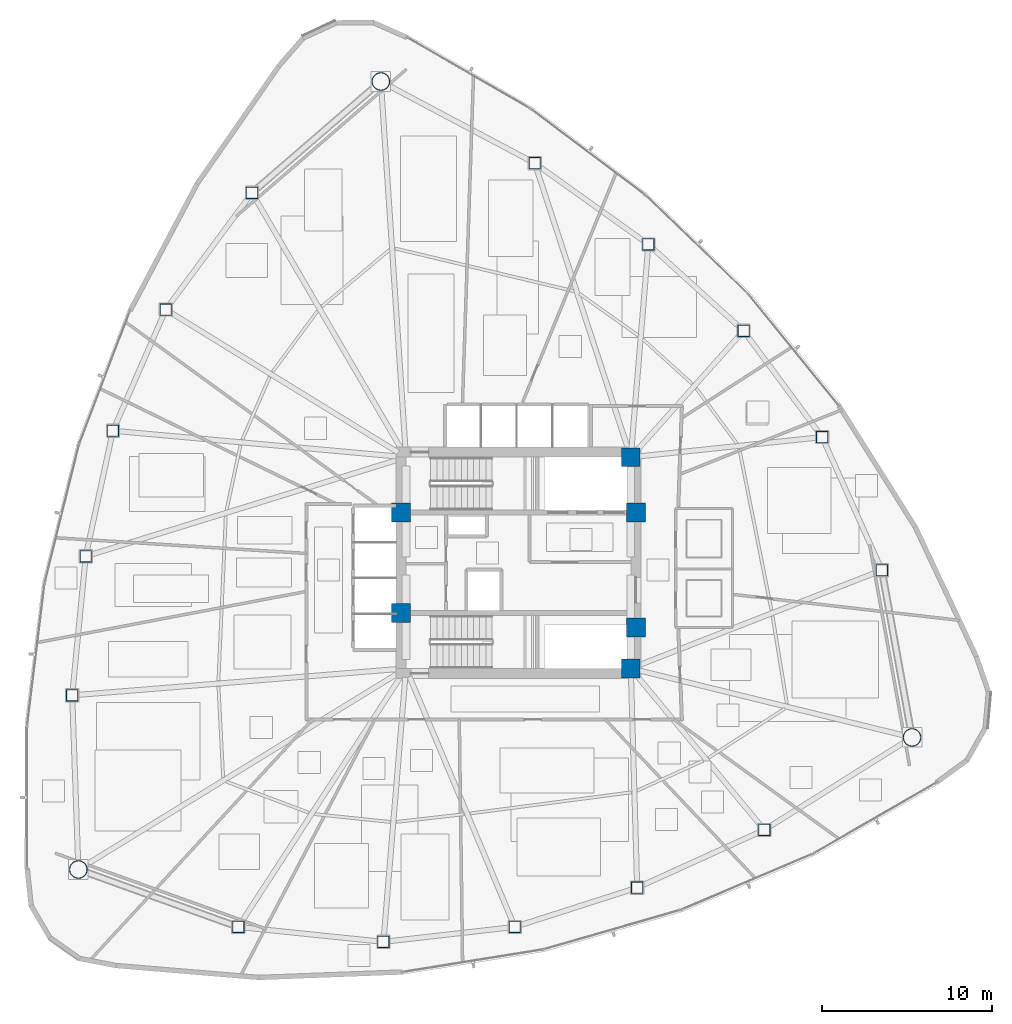
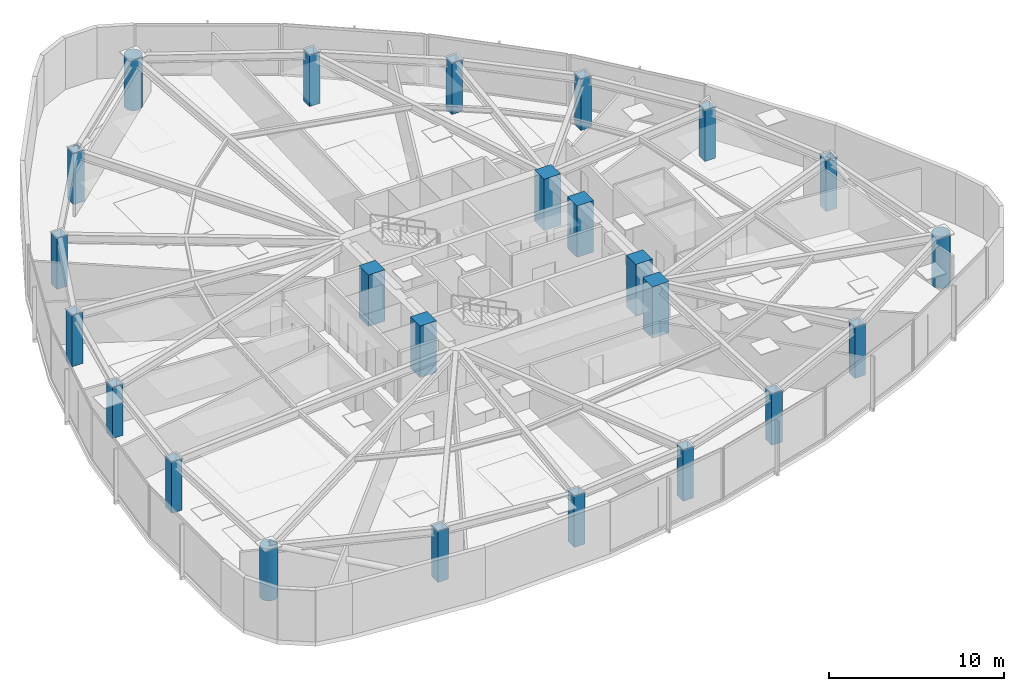
# One storey, part 1 of 17: 24 columns.
"""IFC4 building model written with IfcOpenShell, lengths in metres."""

from ifc_helpers import new_model, si_unit, direction, frame, origin, origin_2d, place, context, subcontext, project, spatial, rectangle, hollow_rectangle, hollow_circle, extrude, material, material_profile, profile_set, type_object, element, save


model = new_model("IFC4")

# Units and contexts
model_context = context("Model", 3, precision=1e-05, world=origin(), true_north=direction((0.0, 1.0)))
body_context = subcontext(model_context, "Body", "Model", "MODEL_VIEW")
ifc_project = project(units=[si_unit("LENGTHUNIT", "METRE"), si_unit("AREAUNIT", "SQUARE_METRE"), si_unit("VOLUMEUNIT", "CUBIC_METRE"), si_unit("PLANEANGLEUNIT", "RADIAN"), si_unit("MASSUNIT", "GRAM", prefix="KILO")], contexts=[model_context])

# Site, building, storey
site_placement = place(None, origin())
site = spatial("IfcSite", under=ifc_project, at=site_placement, CompositionType="ELEMENT")
building_placement = place(site_placement, origin())
building = spatial("IfcBuilding", under=site, at=building_placement, Name="Tavelor Broadcast Tower", CompositionType="ELEMENT")
storey_placement = place(building_placement, frame((0.0, 0.0, 78.300048828125)))
storey = spatial("IfcBuildingStorey", under=building, at=storey_placement, Name="L18", CompositionType="ELEMENT", Elevation=78.300048828125)

# Columns
ifc_material_1 = material(Name="Concrete C60/75", Category="concrete")
ifc_material_profile_1 = material_profile(ifc_material_1, rectangle(XDim=1.10009765625, YDim=1.10009765625, at=origin_2d()), Name="RC 1100x1100")
ifc_profile_set_1 = profile_set([ifc_material_profile_1], Name="Concrete C60/75")
column_type_1 = type_object("IfcColumnType", Name="Core Embedded Composite Column RC1100", PredefinedType="COLUMN", material=ifc_profile_set_1)
for number, where, z_axis, x_axis, name in (
    (1, (43.10009765625, 47.949951171875, 0.0), (0.0, 0.0, 1.0), (1.0, 0.0, 0.0), "L18 Core Embedded Column 1"),
    (2, (56.89990234375, 47.949951171875, 0.0), (0.0, 0.0, 1.0), (1.0, 0.0, 0.0), "L18 Core Embedded Column 2"),
    (3, (56.60009765625, 51.199951171875, 0.0), (0.0, 0.0, 1.0), (1.0, 0.0, 0.0), "L18 Core Embedded Column 3"),
    (4, (43.10009765625, 42.050048828125, 0.0), (0.0, 0.0, 1.0), (1.0, 0.0, 0.0), "L18 Core Embedded Column 4"),
    (5, (56.89990234375, 41.199951171875, 0.0), (0.0, 0.0, 1.0), (1.0, 0.0, 0.0), "L18 Core Embedded Column 5"),
    (6, (56.60009765625, 38.800048828125, 0.0), (0.0, 0.0, 1.0), (1.0, 0.0, 0.0), "L18 Core Embedded Column 6"),
):
    element("IfcColumn", number, at=place(storey_placement, frame(where, z_axis=z_axis, x_axis=x_axis)), inside=storey, type_object=column_type_1, Name=name, PredefinedType="COLUMN", context=body_context, shape_type="SweptSolid", body=[
        extrude(rectangle(XDim=1.10009765625, YDim=1.10009765625, at=origin_2d()), origin(), (0.0, 0.0, 1.0), 3.599853515625),
    ])
ifc_material_2 = material(Name="Steel S460", Category="steel")
ifc_material_profile_2 = material_profile(ifc_material_2, hollow_rectangle(XDim=0.699951171875, YDim=0.699951171875, WallThickness=0.0400390625, at=origin_2d()), Name="SHS 700x700x40")
ifc_profile_set_2 = profile_set([ifc_material_profile_2], Name="Steel S460")
column_type_2 = type_object("IfcColumnType", Name="Perimeter Tube Column T2 SHS 700x700x40", PredefinedType="COLUMN", material=ifc_profile_set_2)
for number, where, z_axis, x_axis, name in (
    (7, (34.356201171875, 66.727783203125, 0.0), (0.0, 0.0, 1.0), (1.0, 0.0, 0.0), "L18 Perimeter Framed-Tube Column 02"),
    (8, (29.292236328125, 59.87158203125, 0.0), (0.0, 0.0, 1.0), (1.0, 0.0, 0.0), "L18 Perimeter Framed-Tube Column 03"),
    (9, (26.189208984375, 52.75830078125, 0.0), (0.0, 0.0, 1.0), (1.0, 0.0, 0.0), "L18 Perimeter Framed-Tube Column 04"),
    (10, (24.58984375, 45.380615234375, 0.0), (0.0, 0.0, 1.0), (1.0, 0.0, 0.0), "L18 Perimeter Framed-Tube Column 05"),
    (11, (23.794677734375, 37.21630859375, 0.0), (0.0, 0.0, 1.0), (1.0, 0.0, 0.0), "L18 Perimeter Framed-Tube Column 06"),
    (12, (33.55078125, 23.615478515625, 0.0), (0.0, 0.0, 1.0), (1.0, 0.0, 0.0), "L18 Perimeter Framed-Tube Column 08"),
    (13, (42.0732421875, 22.740478515625, 0.0), (0.0, 0.0, 1.0), (1.0, 0.0, 0.0), "L18 Perimeter Framed-Tube Column 09"),
    (14, (49.78662109375, 23.617919921875, 0.0), (0.0, 0.0, 1.0), (1.0, 0.0, 0.0), "L18 Perimeter Framed-Tube Column 10"),
    (15, (56.975341796875, 25.92138671875, 0.0), (0.0, 0.0, 1.0), (1.0, 0.0, 0.0), "L18 Perimeter Framed-Tube Column 11"),
    (16, (64.443603515625, 29.31494140625, 0.0), (0.0, 0.0, 1.0), (1.0, 0.0, 0.0), "L18 Perimeter Framed-Tube Column 12"),
    (17, (71.343994140625, 44.564697265625, 0.0), (0.0, 0.0, 1.0), (1.0, 0.0, 0.0), "L18 Perimeter Framed-Tube Column 14"),
    (18, (67.8408203125, 52.382568359375, 0.0), (0.0, 0.0, 1.0), (1.0, 0.0, 0.0), "L18 Perimeter Framed-Tube Column 15"),
    (19, (63.22412109375, 58.623779296875, 0.0), (0.0, 0.0, 1.0), (1.0, 0.0, 0.0), "L18 Perimeter Framed-Tube Column 16"),
    (20, (57.634765625, 63.69775390625, 0.0), (0.0, 0.0, 1.0), (1.0, 0.0, 0.0), "L18 Perimeter Framed-Tube Column 17"),
    (21, (50.9619140625, 68.468505859375, 0.0), (0.0, 0.0, 1.0), (1.0, 0.0, 0.0), "L18 Perimeter Framed-Tube Column 18"),
):
    element("IfcColumn", number, at=place(storey_placement, frame(where, z_axis=z_axis, x_axis=x_axis)), inside=storey, type_object=column_type_2, Name=name, PredefinedType="COLUMN", context=body_context, shape_type="SweptSolid", body=[
        extrude(hollow_rectangle(XDim=0.699951171875, YDim=0.699951171875, WallThickness=0.0400390625, at=origin_2d()), origin(), (0.0, 0.0, 1.0), 3.599853515625),
    ])
ifc_material_profile_3 = material_profile(ifc_material_2, hollow_circle(Radius=0.533447265625, WallThickness=0.044921875, at=origin_2d()), Name="CHS 1067x45")
ifc_profile_set_3 = profile_set([ifc_material_profile_3], Name="Steel S460")
column_type_3 = type_object("IfcColumnType", Name="Tower Mega Column T2 CHS 1067x45", PredefinedType="COLUMN", material=ifc_profile_set_3)
for number, where, z_axis, x_axis, name in (
    (22, (41.923095703125, 73.266357421875, 0.0), (0.0, 0.0, 1.0), (1.0, 0.0, 0.0), "L18 Tower Corner Mega Column 01"),
    (23, (24.1591796875, 26.98974609375, 0.0), (0.0, 0.0, 1.0), (1.0, 0.0, 0.0), "L18 Tower Corner Mega Column 07"),
    (24, (73.117919921875, 34.743896484375, 0.0), (0.0, 0.0, 1.0), (1.0, 0.0, 0.0), "L18 Tower Corner Mega Column 13"),
):
    element("IfcColumn", number, at=place(storey_placement, frame(where, z_axis=z_axis, x_axis=x_axis)), inside=storey, type_object=column_type_3, Name=name, PredefinedType="COLUMN", context=body_context, shape_type="SweptSolid", body=[
        extrude(hollow_circle(Radius=0.533447265625, WallThickness=0.044921875, at=origin_2d()), origin(), (0.0, 0.0, 1.0), 3.599853515625),
    ])

save(model, "model.ifc")
